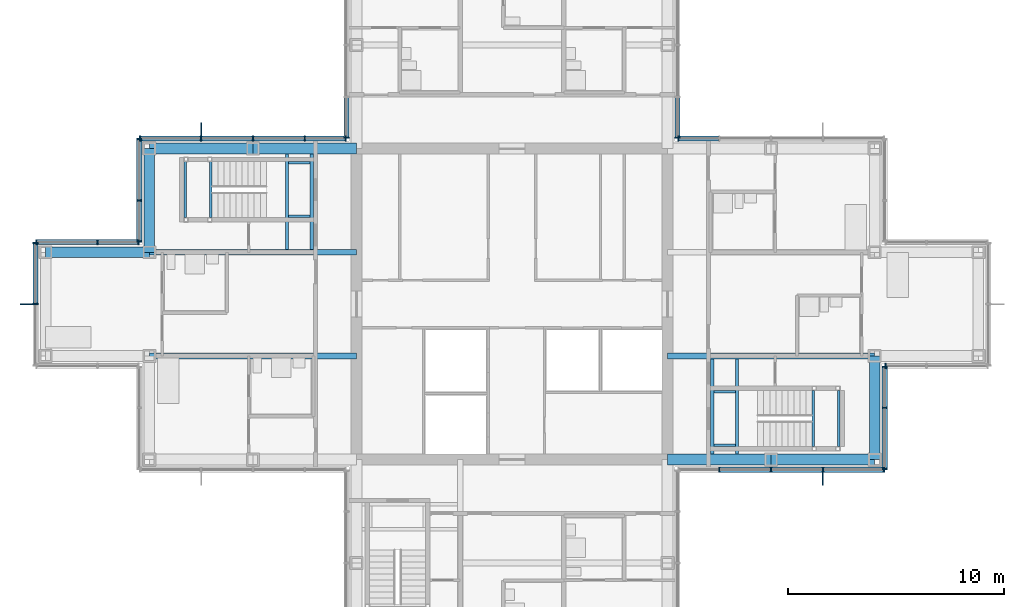
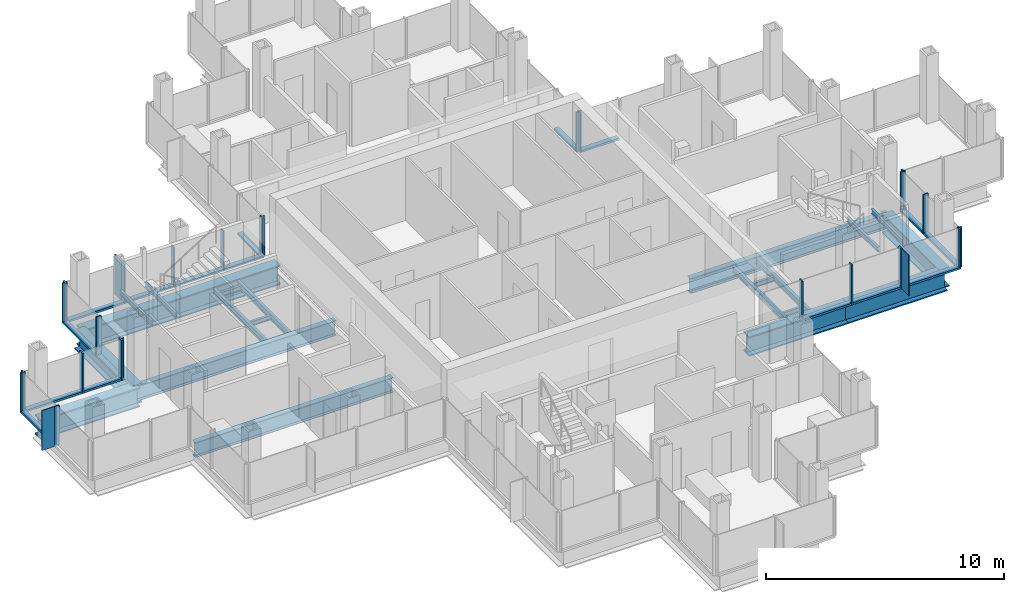
# One storey, part 7 of 17: 44 members, 22 beams, 10 elements without a shape of their own.
"""IFC4 building model written with IfcOpenShell, lengths in metres."""

from ifc_helpers import new_model, si_unit, direction, frame, origin, origin_2d, place, context, subcontext, project, spatial, rectangle, i_section, extrude, material, material_profile, profile_set, type_object, element, aggregate, save


model = new_model("IFC4")

# Units and contexts
model_context = context("Model", 3, precision=1e-05, world=origin(), true_north=direction((0.0, 1.0)))
body_context = subcontext(model_context, "Body", "Model", "MODEL_VIEW")
ifc_project = project(units=[si_unit("LENGTHUNIT", "METRE"), si_unit("AREAUNIT", "SQUARE_METRE"), si_unit("VOLUMEUNIT", "CUBIC_METRE"), si_unit("PLANEANGLEUNIT", "RADIAN"), si_unit("MASSUNIT", "GRAM", prefix="KILO")], contexts=[model_context])

# Site, building, storey
site_placement = place(None, origin())
site = spatial("IfcSite", under=ifc_project, at=site_placement, CompositionType="ELEMENT")
building_placement = place(site_placement, origin())
building = spatial("IfcBuilding", under=site, at=building_placement, Name="Kvirike Care Tower", CompositionType="ELEMENT")
storey_placement = place(building_placement, frame((0.0, 0.0, 186.5)))
storey = spatial("IfcBuildingStorey", under=building, at=storey_placement, Name="L51", CompositionType="ELEMENT", Elevation=186.5)

# Curtain wall, member
ifc_material_1 = material(Name="Anodised aluminium stick system", Category="aluminium")
curtain_wall_type = type_object("IfcCurtainWallType", Name="CW-C STICK CURTAIN WALL", PredefinedType="NOTDEFINED", material=ifc_material_1)
curtain_wall_1_placement = place(storey_placement, origin())
curtain_wall_1 = element("IfcCurtainWall", 1, at=curtain_wall_1_placement, inside=storey, type_object=curtain_wall_type, Name="Curtain wall L51 face 1", PredefinedType="NOTDEFINED")
ifc_material_2 = material(Name="Bronze anodised aluminium fin", Category="aluminium")
ifc_material_profile_1 = material_profile(ifc_material_2, rectangle(XDim=0.050048828125, YDim=0.60009765625, at=origin_2d()), Name="BRONZE FIN 600")
ifc_profile_set_1 = profile_set([ifc_material_profile_1], Name="Bronze anodised aluminium fin")
member_type_1 = type_object("IfcMemberType", Name="BRONZE FIN 600", PredefinedType="USERDEFINED", material=ifc_profile_set_1)
member_1_placement = place(storey_placement, frame((36.0, 27.909912109375, 0.0), z_axis=(0.0, 0.0, 1.0), x_axis=(1.0, 0.0, 0.0)))
member_1 = element("IfcMember", 2, at=member_1_placement, type_object=member_type_1, Name="Bronze fin L51 face 1.4", ObjectType="FIN", PredefinedType="USERDEFINED", context=body_context, shape_type="SweptSolid", body=[
    extrude(rectangle(XDim=0.050048828125, YDim=0.60009765625, at=origin_2d()), origin(), (0.0, 0.0, 1.0), 2.050048828125),
])

curtain_wall_2_placement = place(storey_placement, origin())
curtain_wall_2 = element("IfcCurtainWall", 3, at=curtain_wall_2_placement, inside=storey, type_object=curtain_wall_type, Name="Curtain wall L51 face 15", PredefinedType="NOTDEFINED")
member_2_placement = place(storey_placement, frame((7.199951171875, 44.090087890625, 0.0), z_axis=(0.0, 0.0, 1.0), x_axis=(-1.0, 0.0, 0.0)))
member_2 = element("IfcMember", 4, at=member_2_placement, type_object=member_type_1, Name="Bronze fin L51 face 15.4", ObjectType="FIN", PredefinedType="USERDEFINED", context=body_context, shape_type="SweptSolid", body=[
    extrude(rectangle(XDim=0.050048828125, YDim=0.60009765625, at=origin_2d()), origin(), (0.0, 0.0, 1.0), 2.050048828125),
])

curtain_wall_3_placement = place(storey_placement, origin())
curtain_wall_3 = element("IfcCurtainWall", 5, at=curtain_wall_3_placement, inside=storey, type_object=curtain_wall_type, Name="Curtain wall L51 face 18", PredefinedType="NOTDEFINED")
member_3_placement = place(storey_placement, frame((-0.889892578125, 36.0, 0.0), z_axis=(0.0, 0.0, 1.0), x_axis=(0.0, -1.0, 0.0)))
member_3 = element("IfcMember", 6, at=member_3_placement, type_object=member_type_1, Name="Bronze fin L51 face 18.2", ObjectType="FIN", PredefinedType="USERDEFINED", context=body_context, shape_type="SweptSolid", body=[
    extrude(rectangle(XDim=0.050048828125, YDim=0.60009765625, at=origin_2d()), origin(), (0.0, 0.0, 1.0), 2.050048828125),
])

# Member
ifc_material_3 = material(Name="Bronze anodised aluminium mullion", Category="aluminium")
ifc_material_profile_2 = material_profile(ifc_material_3, rectangle(XDim=0.06494140625, YDim=0.239990234375, at=origin_2d()), Name="CW-C MULLION 65x240")
ifc_profile_set_2 = profile_set([ifc_material_profile_2], Name="Bronze anodised aluminium mullion")
member_type_2 = type_object("IfcMemberType", Name="CW-C MULLION 65x240", PredefinedType="MULLION", material=ifc_profile_set_2)
member_4_placement = place(storey_placement, frame((31.199951171875, 28.330078125, 0.0), z_axis=(0.0, 0.0, 1.0), x_axis=(1.0, 0.0, 0.0)))
member_4 = element("IfcMember", 7, at=member_4_placement, type_object=member_type_2, Name="CW-C mullion L51 face 1.2", PredefinedType="MULLION", context=body_context, shape_type="SweptSolid", body=[
    extrude(rectangle(XDim=0.06494140625, YDim=0.239990234375, at=origin_2d()), origin(), (0.0, 0.0, 1.0), 2.050048828125),
])

member_5_placement = place(storey_placement, frame((33.60009765625, 28.330078125, 0.0), z_axis=(0.0, 0.0, 1.0), x_axis=(1.0, 0.0, 0.0)))
member_5 = element("IfcMember", 8, at=member_5_placement, type_object=member_type_2, Name="CW-C mullion L51 face 1.3", PredefinedType="MULLION", context=body_context, shape_type="SweptSolid", body=[
    extrude(rectangle(XDim=0.06494140625, YDim=0.239990234375, at=origin_2d()), origin(), (0.0, 0.0, 1.0), 2.050048828125),
])

member_6_placement = place(storey_placement, frame((36.0, 28.330078125, 0.0), z_axis=(0.0, 0.0, 1.0), x_axis=(1.0, 0.0, 0.0)))
member_6 = element("IfcMember", 9, at=member_6_placement, type_object=member_type_2, Name="CW-C mullion L51 face 1.4", PredefinedType="MULLION", context=body_context, shape_type="SweptSolid", body=[
    extrude(rectangle(XDim=0.06494140625, YDim=0.239990234375, at=origin_2d()), origin(), (0.0, 0.0, 1.0), 2.050048828125),
])

member_7_placement = place(storey_placement, frame((38.83740234375, 28.330078125, 0.0), z_axis=(0.0, 0.0, 1.0), x_axis=(1.0, 0.0, 0.0)))
member_7 = element("IfcMember", 10, at=member_7_placement, type_object=member_type_2, Name="CW-C mullion L51 face 1.5", PredefinedType="MULLION", context=body_context, shape_type="SweptSolid", body=[
    extrude(rectangle(XDim=0.06494140625, YDim=0.239990234375, at=origin_2d()), origin(), (0.0, 0.0, 1.0), 2.050048828125),
])

# Curtain wall, members
curtain_wall_4_placement = place(storey_placement, origin())
curtain_wall_4 = element("IfcCurtainWall", 11, at=curtain_wall_4_placement, inside=storey, type_object=curtain_wall_type, Name="Curtain wall L51 face 2", PredefinedType="NOTDEFINED")
member_8_placement = place(storey_placement, frame((38.8701171875, 28.362548828125, 0.0), z_axis=(0.0, 0.0, 1.0), x_axis=(0.0, 1.0, 0.0)))
member_8 = element("IfcMember", 12, at=member_8_placement, type_object=member_type_2, Name="CW-C mullion L51 face 2.1", PredefinedType="MULLION", context=body_context, shape_type="SweptSolid", body=[
    extrude(rectangle(XDim=0.06494140625, YDim=0.239990234375, at=origin_2d()), origin(), (0.0, 0.0, 1.0), 2.050048828125),
])
member_9_placement = place(storey_placement, frame((38.8701171875, 31.199951171875, 0.0), z_axis=(0.0, 0.0, 1.0), x_axis=(0.0, 1.0, 0.0)))
member_9 = element("IfcMember", 13, at=member_9_placement, type_object=member_type_2, Name="CW-C mullion L51 face 2.2", PredefinedType="MULLION", context=body_context, shape_type="SweptSolid", body=[
    extrude(rectangle(XDim=0.06494140625, YDim=0.239990234375, at=origin_2d()), origin(), (0.0, 0.0, 1.0), 2.050048828125),
])
member_10_placement = place(storey_placement, frame((38.8701171875, 33.097412109375, 0.0), z_axis=(0.0, 0.0, 1.0), x_axis=(0.0, 1.0, 0.0)))
member_10 = element("IfcMember", 14, at=member_10_placement, type_object=member_type_2, Name="CW-C mullion L51 face 2.3", PredefinedType="MULLION", context=body_context, shape_type="SweptSolid", body=[
    extrude(rectangle(XDim=0.06494140625, YDim=0.239990234375, at=origin_2d()), origin(), (0.0, 0.0, 1.0), 2.050048828125),
])

# Curtain wall, member
curtain_wall_5_placement = place(storey_placement, origin())
curtain_wall_5 = element("IfcCurtainWall", 15, at=curtain_wall_5_placement, inside=storey, type_object=curtain_wall_type, Name="Curtain wall L51 face 3", PredefinedType="NOTDEFINED")
member_11_placement = place(storey_placement, frame((38.902587890625, 33.1298828125, 0.0), z_axis=(0.0, 0.0, 1.0), x_axis=(1.0, 0.0, 0.0)))
member_11 = element("IfcMember", 16, at=member_11_placement, type_object=member_type_2, Name="CW-C mullion L51 face 3.1", PredefinedType="MULLION", context=body_context, shape_type="SweptSolid", body=[
    extrude(rectangle(XDim=0.06494140625, YDim=0.239990234375, at=origin_2d()), origin(), (0.0, 0.0, 1.0), 2.050048828125),
])
aggregate(curtain_wall_5, [member_11])

curtain_wall_6_placement = place(storey_placement, origin())
curtain_wall_6 = element("IfcCurtainWall", 17, at=curtain_wall_6_placement, inside=storey, type_object=curtain_wall_type, Name="Curtain wall L51 face 7", PredefinedType="NOTDEFINED")
member_12_placement = place(storey_placement, frame((29.302490234375, 43.669921875, 0.0), z_axis=(0.0, 0.0, 1.0), x_axis=(-1.0, 0.0, 0.0)))
member_12 = element("IfcMember", 18, at=member_12_placement, type_object=member_type_2, Name="CW-C mullion L51 face 7.5", PredefinedType="MULLION", context=body_context, shape_type="SweptSolid", body=[
    extrude(rectangle(XDim=0.06494140625, YDim=0.239990234375, at=origin_2d()), origin(), (0.0, 0.0, 1.0), 2.050048828125),
])

curtain_wall_7_placement = place(storey_placement, origin())
curtain_wall_7 = element("IfcCurtainWall", 19, at=curtain_wall_7_placement, inside=storey, type_object=curtain_wall_type, Name="Curtain wall L51 face 8", PredefinedType="NOTDEFINED")
member_13_placement = place(storey_placement, frame((29.27001953125, 43.702392578125, 0.0), z_axis=(0.0, 0.0, 1.0), x_axis=(0.0, 1.0, 0.0)))
member_13 = element("IfcMember", 20, at=member_13_placement, type_object=member_type_2, Name="CW-C mullion L51 face 8.1", PredefinedType="MULLION", context=body_context, shape_type="SweptSolid", body=[
    extrude(rectangle(XDim=0.06494140625, YDim=0.239990234375, at=origin_2d()), origin(), (0.0, 0.0, 1.0), 2.050048828125),
])

curtain_wall_8_placement = place(storey_placement, origin())
curtain_wall_8 = element("IfcCurtainWall", 21, at=curtain_wall_8_placement, inside=storey, type_object=curtain_wall_type, Name="Curtain wall L51 face 14", PredefinedType="NOTDEFINED")
member_14_placement = place(storey_placement, frame((13.929931640625, 43.702392578125, 0.0), z_axis=(0.0, 0.0, 1.0), x_axis=(0.0, -1.0, 0.0)))
member_14 = element("IfcMember", 22, at=member_14_placement, type_object=member_type_2, Name="CW-C mullion L51 face 14.5", PredefinedType="MULLION", context=body_context, shape_type="SweptSolid", body=[
    extrude(rectangle(XDim=0.06494140625, YDim=0.239990234375, at=origin_2d()), origin(), (0.0, 0.0, 1.0), 2.050048828125),
])

# Member
member_15_placement = place(storey_placement, frame((13.8974609375, 43.669921875, 0.0), z_axis=(0.0, 0.0, 1.0), x_axis=(-1.0, 0.0, 0.0)))
member_15 = element("IfcMember", 23, at=member_15_placement, type_object=member_type_2, Name="CW-C mullion L51 face 15.1", PredefinedType="MULLION", context=body_context, shape_type="SweptSolid", body=[
    extrude(rectangle(XDim=0.06494140625, YDim=0.239990234375, at=origin_2d()), origin(), (0.0, 0.0, 1.0), 2.050048828125),
])

member_16_placement = place(storey_placement, frame((12.0, 43.669921875, 0.0), z_axis=(0.0, 0.0, 1.0), x_axis=(-1.0, 0.0, 0.0)))
member_16 = element("IfcMember", 24, at=member_16_placement, type_object=member_type_2, Name="CW-C mullion L51 face 15.2", PredefinedType="MULLION", context=body_context, shape_type="SweptSolid", body=[
    extrude(rectangle(XDim=0.06494140625, YDim=0.239990234375, at=origin_2d()), origin(), (0.0, 0.0, 1.0), 2.050048828125),
])

member_17_placement = place(storey_placement, frame((9.60009765625, 43.669921875, 0.0), z_axis=(0.0, 0.0, 1.0), x_axis=(-1.0, 0.0, 0.0)))
member_17 = element("IfcMember", 25, at=member_17_placement, type_object=member_type_2, Name="CW-C mullion L51 face 15.3", PredefinedType="MULLION", context=body_context, shape_type="SweptSolid", body=[
    extrude(rectangle(XDim=0.06494140625, YDim=0.239990234375, at=origin_2d()), origin(), (0.0, 0.0, 1.0), 2.050048828125),
])

member_18_placement = place(storey_placement, frame((7.199951171875, 43.669921875, 0.0), z_axis=(0.0, 0.0, 1.0), x_axis=(-1.0, 0.0, 0.0)))
member_18 = element("IfcMember", 26, at=member_18_placement, type_object=member_type_2, Name="CW-C mullion L51 face 15.4", PredefinedType="MULLION", context=body_context, shape_type="SweptSolid", body=[
    extrude(rectangle(XDim=0.06494140625, YDim=0.239990234375, at=origin_2d()), origin(), (0.0, 0.0, 1.0), 2.050048828125),
])

member_19_placement = place(storey_placement, frame((4.362548828125, 43.669921875, 0.0), z_axis=(0.0, 0.0, 1.0), x_axis=(-1.0, 0.0, 0.0)))
member_19 = element("IfcMember", 27, at=member_19_placement, type_object=member_type_2, Name="CW-C mullion L51 face 15.5", PredefinedType="MULLION", context=body_context, shape_type="SweptSolid", body=[
    extrude(rectangle(XDim=0.06494140625, YDim=0.239990234375, at=origin_2d()), origin(), (0.0, 0.0, 1.0), 2.050048828125),
])

# Curtain wall, members
curtain_wall_9_placement = place(storey_placement, origin())
curtain_wall_9 = element("IfcCurtainWall", 28, at=curtain_wall_9_placement, inside=storey, type_object=curtain_wall_type, Name="Curtain wall L51 face 16", PredefinedType="NOTDEFINED")
member_20_placement = place(storey_placement, frame((4.330078125, 43.637451171875, 0.0), z_axis=(0.0, 0.0, 1.0), x_axis=(0.0, -1.0, 0.0)))
member_20 = element("IfcMember", 29, at=member_20_placement, type_object=member_type_2, Name="CW-C mullion L51 face 16.1", PredefinedType="MULLION", context=body_context, shape_type="SweptSolid", body=[
    extrude(rectangle(XDim=0.06494140625, YDim=0.239990234375, at=origin_2d()), origin(), (0.0, 0.0, 1.0), 2.050048828125),
])
member_21_placement = place(storey_placement, frame((4.330078125, 40.800048828125, 0.0), z_axis=(0.0, 0.0, 1.0), x_axis=(0.0, -1.0, 0.0)))
member_21 = element("IfcMember", 30, at=member_21_placement, type_object=member_type_2, Name="CW-C mullion L51 face 16.2", PredefinedType="MULLION", context=body_context, shape_type="SweptSolid", body=[
    extrude(rectangle(XDim=0.06494140625, YDim=0.239990234375, at=origin_2d()), origin(), (0.0, 0.0, 1.0), 2.050048828125),
])
member_22_placement = place(storey_placement, frame((4.330078125, 38.902587890625, 0.0), z_axis=(0.0, 0.0, 1.0), x_axis=(0.0, -1.0, 0.0)))
member_22 = element("IfcMember", 31, at=member_22_placement, type_object=member_type_2, Name="CW-C mullion L51 face 16.3", PredefinedType="MULLION", context=body_context, shape_type="SweptSolid", body=[
    extrude(rectangle(XDim=0.06494140625, YDim=0.239990234375, at=origin_2d()), origin(), (0.0, 0.0, 1.0), 2.050048828125),
])

curtain_wall_10_placement = place(storey_placement, origin())
curtain_wall_10 = element("IfcCurtainWall", 32, at=curtain_wall_10_placement, inside=storey, type_object=curtain_wall_type, Name="Curtain wall L51 face 17", PredefinedType="NOTDEFINED")
member_23_placement = place(storey_placement, frame((4.297607421875, 38.8701171875, 0.0), z_axis=(0.0, 0.0, 1.0), x_axis=(-1.0, 0.0, 0.0)))
member_23 = element("IfcMember", 33, at=member_23_placement, type_object=member_type_2, Name="CW-C mullion L51 face 17.1", PredefinedType="MULLION", context=body_context, shape_type="SweptSolid", body=[
    extrude(rectangle(XDim=0.06494140625, YDim=0.239990234375, at=origin_2d()), origin(), (0.0, 0.0, 1.0), 2.050048828125),
])
member_24_placement = place(storey_placement, frame((2.39990234375, 38.8701171875, 0.0), z_axis=(0.0, 0.0, 1.0), x_axis=(-1.0, 0.0, 0.0)))
member_24 = element("IfcMember", 34, at=member_24_placement, type_object=member_type_2, Name="CW-C mullion L51 face 17.2", PredefinedType="MULLION", context=body_context, shape_type="SweptSolid", body=[
    extrude(rectangle(XDim=0.06494140625, YDim=0.239990234375, at=origin_2d()), origin(), (0.0, 0.0, 1.0), 2.050048828125),
])
member_25_placement = place(storey_placement, frame((-0.4375, 38.8701171875, 0.0), z_axis=(0.0, 0.0, 1.0), x_axis=(-1.0, 0.0, 0.0)))
member_25 = element("IfcMember", 35, at=member_25_placement, type_object=member_type_2, Name="CW-C mullion L51 face 17.3", PredefinedType="MULLION", context=body_context, shape_type="SweptSolid", body=[
    extrude(rectangle(XDim=0.06494140625, YDim=0.239990234375, at=origin_2d()), origin(), (0.0, 0.0, 1.0), 2.050048828125),
])

# Member
member_26_placement = place(storey_placement, frame((-0.469970703125, 38.83740234375, 0.0), z_axis=(0.0, 0.0, 1.0), x_axis=(0.0, -1.0, 0.0)))
member_26 = element("IfcMember", 36, at=member_26_placement, type_object=member_type_2, Name="CW-C mullion L51 face 18.1", PredefinedType="MULLION", context=body_context, shape_type="SweptSolid", body=[
    extrude(rectangle(XDim=0.06494140625, YDim=0.239990234375, at=origin_2d()), origin(), (0.0, 0.0, 1.0), 2.050048828125),
])

member_27_placement = place(storey_placement, frame((-0.469970703125, 36.0, 0.0), z_axis=(0.0, 0.0, 1.0), x_axis=(0.0, -1.0, 0.0)))
member_27 = element("IfcMember", 37, at=member_27_placement, type_object=member_type_2, Name="CW-C mullion L51 face 18.2", PredefinedType="MULLION", context=body_context, shape_type="SweptSolid", body=[
    extrude(rectangle(XDim=0.06494140625, YDim=0.239990234375, at=origin_2d()), origin(), (0.0, 0.0, 1.0), 2.050048828125),
])

ifc_material_4 = material(Name="Bronze anodised aluminium transom", Category="aluminium")
ifc_material_profile_3 = material_profile(ifc_material_4, rectangle(XDim=0.239990234375, YDim=0.10009765625, at=origin_2d()), Name="CW-C TRANSOM 240x100")
ifc_profile_set_3 = profile_set([ifc_material_profile_3], Name="Bronze anodised aluminium transom")
member_type_3 = type_object("IfcMemberType", Name="CW-C TRANSOM 240x100", PredefinedType="USERDEFINED", material=ifc_profile_set_3)
member_28_placement = place(storey_placement, frame((31.232421875, 28.330078125, 0.050048828125), z_axis=(1.0, 0.0, 0.0), x_axis=(0.0, 1.0, 0.0)))
member_28 = element("IfcMember", 38, at=member_28_placement, type_object=member_type_3, Name="CW-C sill transom L51 face 1.2", ObjectType="TRANSOM", PredefinedType="USERDEFINED", context=body_context, shape_type="SweptSolid", body=[
    extrude(rectangle(XDim=0.239990234375, YDim=0.10009765625, at=origin_2d()), origin(), (0.0, 0.0, 1.0), 2.3349609375),
])

member_29_placement = place(storey_placement, frame((33.632568359375, 28.330078125, 0.050048828125), z_axis=(1.0, 0.0, 0.0), x_axis=(0.0, 1.0, 0.0)))
member_29 = element("IfcMember", 39, at=member_29_placement, type_object=member_type_3, Name="CW-C sill transom L51 face 1.3", ObjectType="TRANSOM", PredefinedType="USERDEFINED", context=body_context, shape_type="SweptSolid", body=[
    extrude(rectangle(XDim=0.239990234375, YDim=0.10009765625, at=origin_2d()), origin(), (0.0, 0.0, 1.0), 2.3349609375),
])

member_30_placement = place(storey_placement, frame((36.032470703125, 28.330078125, 0.050048828125), z_axis=(1.0, 0.0, 0.0), x_axis=(0.0, 1.0, 0.0)))
member_30 = element("IfcMember", 40, at=member_30_placement, type_object=member_type_3, Name="CW-C sill transom L51 face 1.4", ObjectType="TRANSOM", PredefinedType="USERDEFINED", context=body_context, shape_type="SweptSolid", body=[
    extrude(rectangle(XDim=0.239990234375, YDim=0.10009765625, at=origin_2d()), origin(), (0.0, 0.0, 1.0), 2.7724609375),
])

aggregate(curtain_wall_1, [member_4, member_5, member_6, member_1, member_7, member_28, member_29, member_30])

member_31_placement = place(storey_placement, frame((38.8701171875, 28.39501953125, 0.050048828125), z_axis=(0.0, 1.0, 0.0), x_axis=(-1.0, 0.0, 0.0)))
member_31 = element("IfcMember", 41, at=member_31_placement, type_object=member_type_3, Name="CW-C sill transom L51 face 2.1", ObjectType="TRANSOM", PredefinedType="USERDEFINED", context=body_context, shape_type="SweptSolid", body=[
    extrude(rectangle(XDim=0.239990234375, YDim=0.10009765625, at=origin_2d()), origin(), (0.0, 0.0, 1.0), 2.7724609375),
])

member_32_placement = place(storey_placement, frame((38.8701171875, 31.232421875, 0.050048828125), z_axis=(0.0, 1.0, 0.0), x_axis=(-1.0, 0.0, 0.0)))
member_32 = element("IfcMember", 42, at=member_32_placement, type_object=member_type_3, Name="CW-C sill transom L51 face 2.2", ObjectType="TRANSOM", PredefinedType="USERDEFINED", context=body_context, shape_type="SweptSolid", body=[
    extrude(rectangle(XDim=0.239990234375, YDim=0.10009765625, at=origin_2d()), origin(), (0.0, 0.0, 1.0), 1.83251953125),
])

aggregate(curtain_wall_4, [member_8, member_9, member_10, member_31, member_32])

member_33_placement = place(storey_placement, frame((31.16748046875, 43.669921875, 0.050048828125), z_axis=(-1.0, 0.0, 0.0), x_axis=(0.0, -1.0, 0.0)))
member_33 = element("IfcMember", 43, at=member_33_placement, type_object=member_type_3, Name="CW-C sill transom L51 face 7.4", ObjectType="TRANSOM", PredefinedType="USERDEFINED", context=body_context, shape_type="SweptSolid", body=[
    extrude(rectangle(XDim=0.239990234375, YDim=0.10009765625, at=origin_2d()), origin(), (0.0, 0.0, 1.0), 1.83251953125),
])

aggregate(curtain_wall_6, [member_12, member_33])

member_34_placement = place(storey_placement, frame((29.27001953125, 43.735107421875, 0.050048828125), z_axis=(0.0, 1.0, 0.0), x_axis=(-1.0, 0.0, 0.0)))
member_34 = element("IfcMember", 44, at=member_34_placement, type_object=member_type_3, Name="CW-C sill transom L51 face 8.1", ObjectType="TRANSOM", PredefinedType="USERDEFINED", context=body_context, shape_type="SweptSolid", body=[
    extrude(rectangle(XDim=0.239990234375, YDim=0.10009765625, at=origin_2d()), origin(), (0.0, 0.0, 1.0), 1.832275390625),
])

aggregate(curtain_wall_7, [member_13, member_34])

member_35_placement = place(storey_placement, frame((13.929931640625, 45.5673828125, 0.050048828125), z_axis=(0.0, -1.0, 0.0), x_axis=(1.0, 0.0, 0.0)))
member_35 = element("IfcMember", 45, at=member_35_placement, type_object=member_type_3, Name="CW-C sill transom L51 face 14.4", ObjectType="TRANSOM", PredefinedType="USERDEFINED", context=body_context, shape_type="SweptSolid", body=[
    extrude(rectangle(XDim=0.239990234375, YDim=0.10009765625, at=origin_2d()), origin(), (0.0, 0.0, 1.0), 1.832275390625),
])

aggregate(curtain_wall_8, [member_14, member_35])

member_36_placement = place(storey_placement, frame((13.864990234375, 43.669921875, 0.050048828125), z_axis=(-1.0, 0.0, 0.0), x_axis=(0.0, -1.0, 0.0)))
member_36 = element("IfcMember", 46, at=member_36_placement, type_object=member_type_3, Name="CW-C sill transom L51 face 15.1", ObjectType="TRANSOM", PredefinedType="USERDEFINED", context=body_context, shape_type="SweptSolid", body=[
    extrude(rectangle(XDim=0.239990234375, YDim=0.10009765625, at=origin_2d()), origin(), (0.0, 0.0, 1.0), 1.83251953125),
])

member_37_placement = place(storey_placement, frame((11.967529296875, 43.669921875, 0.050048828125), z_axis=(-1.0, 0.0, 0.0), x_axis=(0.0, -1.0, 0.0)))
member_37 = element("IfcMember", 47, at=member_37_placement, type_object=member_type_3, Name="CW-C sill transom L51 face 15.2", ObjectType="TRANSOM", PredefinedType="USERDEFINED", context=body_context, shape_type="SweptSolid", body=[
    extrude(rectangle(XDim=0.239990234375, YDim=0.10009765625, at=origin_2d()), origin(), (0.0, 0.0, 1.0), 2.3349609375),
])

member_38_placement = place(storey_placement, frame((9.5673828125, 43.669921875, 0.050048828125), z_axis=(-1.0, 0.0, 0.0), x_axis=(0.0, -1.0, 0.0)))
member_38 = element("IfcMember", 48, at=member_38_placement, type_object=member_type_3, Name="CW-C sill transom L51 face 15.3", ObjectType="TRANSOM", PredefinedType="USERDEFINED", context=body_context, shape_type="SweptSolid", body=[
    extrude(rectangle(XDim=0.239990234375, YDim=0.10009765625, at=origin_2d()), origin(), (0.0, 0.0, 1.0), 2.3349609375),
])

member_39_placement = place(storey_placement, frame((7.16748046875, 43.669921875, 0.050048828125), z_axis=(-1.0, 0.0, 0.0), x_axis=(0.0, -1.0, 0.0)))
member_39 = element("IfcMember", 49, at=member_39_placement, type_object=member_type_3, Name="CW-C sill transom L51 face 15.4", ObjectType="TRANSOM", PredefinedType="USERDEFINED", context=body_context, shape_type="SweptSolid", body=[
    extrude(rectangle(XDim=0.239990234375, YDim=0.10009765625, at=origin_2d()), origin(), (0.0, 0.0, 1.0), 2.7724609375),
])

aggregate(curtain_wall_2, [member_15, member_16, member_17, member_18, member_2, member_19, member_36, member_37, member_38, member_39])

member_40_placement = place(storey_placement, frame((4.330078125, 43.60498046875, 0.050048828125), z_axis=(0.0, -1.0, 0.0), x_axis=(1.0, 0.0, 0.0)))
member_40 = element("IfcMember", 50, at=member_40_placement, type_object=member_type_3, Name="CW-C sill transom L51 face 16.1", ObjectType="TRANSOM", PredefinedType="USERDEFINED", context=body_context, shape_type="SweptSolid", body=[
    extrude(rectangle(XDim=0.239990234375, YDim=0.10009765625, at=origin_2d()), origin(), (0.0, 0.0, 1.0), 2.7724609375),
])

member_41_placement = place(storey_placement, frame((4.330078125, 40.767578125, 0.050048828125), z_axis=(0.0, -1.0, 0.0), x_axis=(1.0, 0.0, 0.0)))
member_41 = element("IfcMember", 51, at=member_41_placement, type_object=member_type_3, Name="CW-C sill transom L51 face 16.2", ObjectType="TRANSOM", PredefinedType="USERDEFINED", context=body_context, shape_type="SweptSolid", body=[
    extrude(rectangle(XDim=0.239990234375, YDim=0.10009765625, at=origin_2d()), origin(), (0.0, 0.0, 1.0), 1.83251953125),
])

aggregate(curtain_wall_9, [member_20, member_21, member_22, member_40, member_41])

member_42_placement = place(storey_placement, frame((4.264892578125, 38.8701171875, 0.050048828125), z_axis=(-1.0, 0.0, 0.0), x_axis=(0.0, -1.0, 0.0)))
member_42 = element("IfcMember", 52, at=member_42_placement, type_object=member_type_3, Name="CW-C sill transom L51 face 17.1", ObjectType="TRANSOM", PredefinedType="USERDEFINED", context=body_context, shape_type="SweptSolid", body=[
    extrude(rectangle(XDim=0.239990234375, YDim=0.10009765625, at=origin_2d()), origin(), (0.0, 0.0, 1.0), 1.832275390625),
])

member_43_placement = place(storey_placement, frame((2.367431640625, 38.8701171875, 0.050048828125), z_axis=(-1.0, 0.0, 0.0), x_axis=(0.0, -1.0, 0.0)))
member_43 = element("IfcMember", 53, at=member_43_placement, type_object=member_type_3, Name="CW-C sill transom L51 face 17.2", ObjectType="TRANSOM", PredefinedType="USERDEFINED", context=body_context, shape_type="SweptSolid", body=[
    extrude(rectangle(XDim=0.239990234375, YDim=0.10009765625, at=origin_2d()), origin(), (0.0, 0.0, 1.0), 2.7724609375),
])

aggregate(curtain_wall_10, [member_23, member_24, member_25, member_42, member_43])

member_44_placement = place(storey_placement, frame((-0.469970703125, 38.804931640625, 0.050048828125), z_axis=(0.0, -1.0, 0.0), x_axis=(1.0, 0.0, 0.0)))
member_44 = element("IfcMember", 54, at=member_44_placement, type_object=member_type_3, Name="CW-C sill transom L51 face 18.1", ObjectType="TRANSOM", PredefinedType="USERDEFINED", context=body_context, shape_type="SweptSolid", body=[
    extrude(rectangle(XDim=0.239990234375, YDim=0.10009765625, at=origin_2d()), origin(), (0.0, 0.0, 1.0), 2.7724609375),
])

aggregate(curtain_wall_3, [member_26, member_27, member_3, member_44])

# Beams
ifc_material_5 = material(Name="Steel S355", Category="steel")
ifc_material_profile_4 = material_profile(ifc_material_5, i_section(OverallWidth=0.26806640625, OverallDepth=0.77001953125, WebThickness=0.015625, FlangeThickness=0.025390625, FilletRadius=0.01708984375, at=origin_2d()), Name="IPE 750x196")
ifc_profile_set_4 = profile_set([ifc_material_profile_4], Name="Steel S355")
beam_type_1 = type_object("IfcBeamType", Name="FLOOR BEAM IPE 750x196", PredefinedType="BEAM", material=ifc_profile_set_4)
for number, where, z_axis, x_axis, name in (
    (55, (4.800048828125, 33.60009765625, -0.554931640625), (1.0, 0.0, 0.0), (0.0, 1.0, 0.0), "Floor Beam H4-H6 L51"),
    (56, (28.800048828125, 33.60009765625, -0.554931640625), (1.0, 0.0, 0.0), (0.0, 1.0, 0.0), "Floor Beam H9-H11 L51"),
    (57, (4.800048828125, 38.39990234375, -0.554931640625), (1.0, 0.0, 0.0), (0.0, 1.0, 0.0), "Floor Beam J4-J6 L51"),
):
    element("IfcBeam", number, at=place(storey_placement, frame(where, z_axis=z_axis, x_axis=x_axis)), inside=storey, type_object=beam_type_1, Name=name, PredefinedType="BEAM", context=body_context, shape_type="SweptSolid", body=[
        extrude(i_section(OverallWidth=0.26806640625, OverallDepth=0.77001953125, WebThickness=0.015625, FlangeThickness=0.025390625, FilletRadius=0.01708984375, at=origin_2d()), origin(), (0.0, 0.0, 1.0), 9.599853515625),
    ])
ifc_material_6 = material(Name="Steel S355", Category="steel")
ifc_material_profile_5 = material_profile(ifc_material_6, i_section(OverallWidth=0.5, OverallDepth=1.0, WebThickness=0.030029296875, FlangeThickness=0.06005859375, at=origin_2d()), Name="PG 1000x500x30x60")
ifc_profile_set_5 = profile_set([ifc_material_profile_5], Name="Steel S355")
beam_type_2 = type_object("IfcBeamType", Name="SPANDREL PG 1000x500x30x60", PredefinedType="SPANDREL", material=ifc_profile_set_5)
beam_1_placement = place(storey_placement, frame((28.800048828125, 28.800048828125, -0.669921875), z_axis=(1.0, 0.0, 0.0), x_axis=(0.0, 1.0, 0.0)))
element("IfcBeam", 58, at=beam_1_placement, inside=storey, type_object=beam_type_2, Name="Spandrel G9-G10 L51", PredefinedType="SPANDREL", context=body_context, shape_type="SweptSolid", body=[
    extrude(i_section(OverallWidth=0.5, OverallDepth=1.0, WebThickness=0.030029296875, FlangeThickness=0.06005859375, at=origin_2d()), origin(), (0.0, 0.0, 1.0), 4.800048828125),
])
beam_2_placement = place(storey_placement, frame((33.60009765625, 28.800048828125, -0.669921875), z_axis=(1.0, 0.0, 0.0), x_axis=(0.0, 1.0, 0.0)))
element("IfcBeam", 59, at=beam_2_placement, inside=storey, type_object=beam_type_2, Name="Spandrel G10-G11 L51", PredefinedType="SPANDREL", context=body_context, shape_type="SweptSolid", body=[
    extrude(i_section(OverallWidth=0.5, OverallDepth=1.0, WebThickness=0.030029296875, FlangeThickness=0.06005859375, at=origin_2d()), origin(), (0.0, 0.0, 1.0), 4.7998046875),
])
for number, where, z_axis, x_axis, name in (
    (60, (0.0, 38.39990234375, -0.669921875), (1.0, 0.0, 0.0), (0.0, 1.0, 0.0), "Spandrel J3-J4 L51"),
    (61, (4.800048828125, 43.199951171875, -0.669921875), (1.0, 0.0, 0.0), (0.0, 1.0, 0.0), "Spandrel K4-K5 L51"),
):
    element("IfcBeam", number, at=place(storey_placement, frame(where, z_axis=z_axis, x_axis=x_axis)), inside=storey, type_object=beam_type_2, Name=name, PredefinedType="SPANDREL", context=body_context, shape_type="SweptSolid", body=[
        extrude(i_section(OverallWidth=0.5, OverallDepth=1.0, WebThickness=0.030029296875, FlangeThickness=0.06005859375, at=origin_2d()), origin(), (0.0, 0.0, 1.0), 4.800048828125),
    ])
beam_3_placement = place(storey_placement, frame((9.60009765625, 43.199951171875, -0.669921875), z_axis=(1.0, 0.0, 0.0), x_axis=(0.0, 1.0, 0.0)))
element("IfcBeam", 62, at=beam_3_placement, inside=storey, type_object=beam_type_2, Name="Spandrel K5-K6 L51", PredefinedType="SPANDREL", context=body_context, shape_type="SweptSolid", body=[
    extrude(i_section(OverallWidth=0.5, OverallDepth=1.0, WebThickness=0.030029296875, FlangeThickness=0.06005859375, at=origin_2d()), origin(), (0.0, 0.0, 1.0), 4.7998046875),
])
for number, where, z_axis, x_axis, name in (
    (63, (4.800048828125, 38.39990234375, -0.669921875), (0.0, 1.0, 0.0), (-1.0, 0.0, 0.0), "Spandrel J4-K4 L51"),
    (64, (38.39990234375, 28.800048828125, -0.669921875), (0.0, 1.0, 0.0), (-1.0, 0.0, 0.0), "Spandrel G11-H11 L51"),
):
    element("IfcBeam", number, at=place(storey_placement, frame(where, z_axis=z_axis, x_axis=x_axis)), inside=storey, type_object=beam_type_2, Name=name, PredefinedType="SPANDREL", context=body_context, shape_type="SweptSolid", body=[
        extrude(i_section(OverallWidth=0.5, OverallDepth=1.0, WebThickness=0.030029296875, FlangeThickness=0.06005859375, at=origin_2d()), origin(), (0.0, 0.0, 1.0), 4.800048828125),
    ])
ifc_material_7 = material(Name="Steel S355", Category="steel")
ifc_material_profile_6 = material_profile(ifc_material_7, i_section(OverallWidth=0.1201171875, OverallDepth=0.239990234375, WebThickness=0.006103515625, FlangeThickness=0.009765625, FilletRadius=0.014892578125, at=origin_2d()), Name="IPE 240")
ifc_profile_set_6 = profile_set([ifc_material_profile_6], Name="Steel S355")
beam_type_3 = type_object("IfcBeamType", Name="STAIR LANDING BEAM IPE 240", PredefinedType="BEAM", material=ifc_profile_set_6)
for number, where, z_axis, x_axis, name in (
    (65, (6.4599609375, 42.60009765625, 1.429931640625), (0.0, -1.0, 0.0), (1.0, 0.0, 0.0), "Stair 1 landing beam back L51"),
    (66, (7.639892578125, 42.60009765625, 1.429931640625), (0.0, -1.0, 0.0), (1.0, 0.0, 0.0), "Stair 1 landing beam front L51"),
):
    element("IfcBeam", number, at=place(storey_placement, frame(where, z_axis=z_axis, x_axis=x_axis)), inside=storey, type_object=beam_type_3, Name=name, PredefinedType="BEAM", context=body_context, shape_type="SweptSolid", body=[
        extrude(i_section(OverallWidth=0.1201171875, OverallDepth=0.239990234375, WebThickness=0.006103515625, FlangeThickness=0.009765625, FilletRadius=0.014892578125, at=origin_2d()), origin(), (0.0, 0.0, 1.0), 2.60009765625),
    ])
for number, where, z_axis, x_axis, name in (
    (67, (11.25, 42.5400390625, -0.320068359375), (1.0, 0.0, 0.0), (0.0, 1.0, 0.0), "Stair 1 landing edge beam 1 L51"),
    (68, (11.25, 40.06005859375, -0.320068359375), (1.0, 0.0, 0.0), (0.0, 1.0, 0.0), "Stair 1 landing edge beam 2 L51"),
):
    element("IfcBeam", number, at=place(storey_placement, frame(where, z_axis=z_axis, x_axis=x_axis)), inside=storey, type_object=beam_type_3, Name=name, PredefinedType="BEAM", context=body_context, shape_type="SweptSolid", body=[
        extrude(i_section(OverallWidth=0.1201171875, OverallDepth=0.239990234375, WebThickness=0.006103515625, FlangeThickness=0.009765625, FilletRadius=0.014892578125, at=origin_2d()), origin(), (0.0, 0.0, 1.0), 1.0),
    ])
for number, where, z_axis, x_axis, name in (
    (69, (36.739990234375, 29.39990234375, 1.429931640625), (0.0, 1.0, 0.0), (-1.0, 0.0, 0.0), "Stair 2 landing beam back L51"),
    (70, (35.56005859375, 29.39990234375, 1.429931640625), (0.0, 1.0, 0.0), (-1.0, 0.0, 0.0), "Stair 2 landing beam front L51"),
):
    element("IfcBeam", number, at=place(storey_placement, frame(where, z_axis=z_axis, x_axis=x_axis)), inside=storey, type_object=beam_type_3, Name=name, PredefinedType="BEAM", context=body_context, shape_type="SweptSolid", body=[
        extrude(i_section(OverallWidth=0.1201171875, OverallDepth=0.239990234375, WebThickness=0.006103515625, FlangeThickness=0.009765625, FilletRadius=0.014892578125, at=origin_2d()), origin(), (0.0, 0.0, 1.0), 2.60009765625),
    ])
for number, where, z_axis, x_axis, name in (
    (71, (31.949951171875, 29.4599609375, -0.320068359375), (-1.0, 0.0, 0.0), (0.0, -1.0, 0.0), "Stair 2 landing edge beam 1 L51"),
    (72, (31.949951171875, 31.93994140625, -0.320068359375), (-1.0, 0.0, 0.0), (0.0, -1.0, 0.0), "Stair 2 landing edge beam 2 L51"),
):
    element("IfcBeam", number, at=place(storey_placement, frame(where, z_axis=z_axis, x_axis=x_axis)), inside=storey, type_object=beam_type_3, Name=name, PredefinedType="BEAM", context=body_context, shape_type="SweptSolid", body=[
        extrude(i_section(OverallWidth=0.1201171875, OverallDepth=0.239990234375, WebThickness=0.006103515625, FlangeThickness=0.009765625, FilletRadius=0.014892578125, at=origin_2d()), origin(), (0.0, 0.0, 1.0), 1.0),
    ])
ifc_material_8 = material(Name="Steel S355", Category="steel")
ifc_material_profile_7 = material_profile(ifc_material_8, i_section(OverallWidth=0.14990234375, OverallDepth=0.300048828125, WebThickness=0.007080078125, FlangeThickness=0.0107421875, FilletRadius=0.014892578125, at=origin_2d()), Name="IPE 300")
ifc_profile_set_7 = profile_set([ifc_material_profile_7], Name="Steel S355")
beam_type_4 = type_object("IfcBeamType", Name="STAIR TRIMMER IPE 300", PredefinedType="BEAM", material=ifc_profile_set_7)
for number, where, z_axis, x_axis, name in (
    (73, (11.175048828125, 42.949951171875, -0.35009765625), (0.0, -1.0, 0.0), (1.0, 0.0, 0.0), "Stair 1 trimmer 1 L51"),
    (74, (12.324951171875, 42.949951171875, -0.35009765625), (0.0, -1.0, 0.0), (1.0, 0.0, 0.0), "Stair 1 trimmer 2 L51"),
    (75, (32.02490234375, 29.050048828125, -0.35009765625), (0.0, 1.0, 0.0), (-1.0, 0.0, 0.0), "Stair 2 trimmer 1 L51"),
    (76, (30.875, 29.050048828125, -0.35009765625), (0.0, 1.0, 0.0), (-1.0, 0.0, 0.0), "Stair 2 trimmer 2 L51"),
):
    element("IfcBeam", number, at=place(storey_placement, frame(where, z_axis=z_axis, x_axis=x_axis)), inside=storey, type_object=beam_type_4, Name=name, PredefinedType="BEAM", context=body_context, shape_type="SweptSolid", body=[
        extrude(i_section(OverallWidth=0.14990234375, OverallDepth=0.300048828125, WebThickness=0.007080078125, FlangeThickness=0.0107421875, FilletRadius=0.014892578125, at=origin_2d()), origin(), (0.0, 0.0, 1.0), 4.416015625),
    ])

save(model, "model.ifc")
